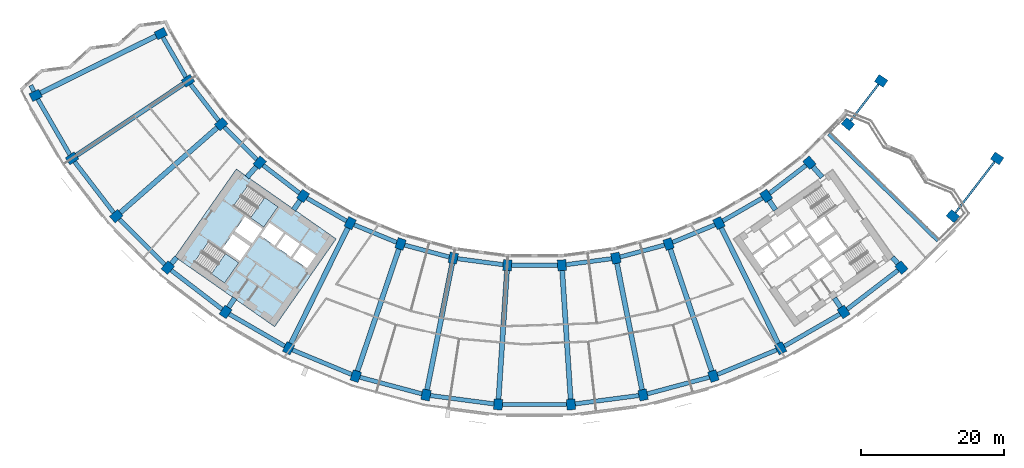
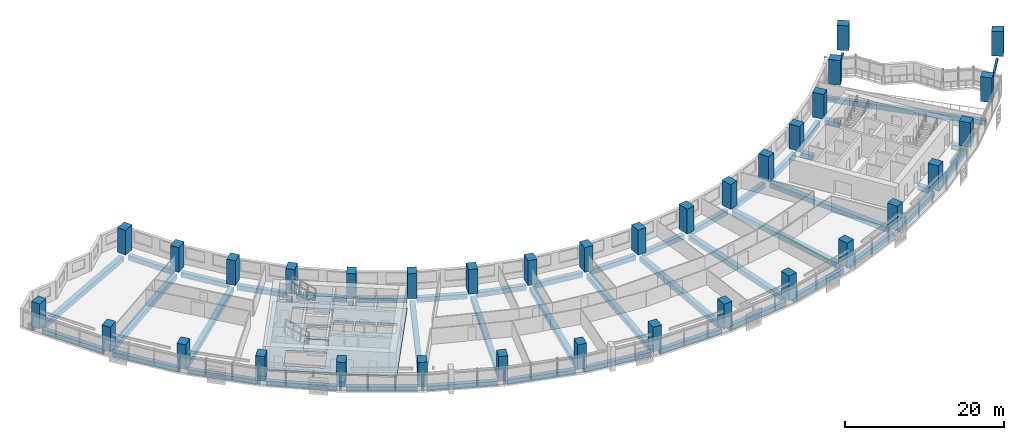
# One storey, part 1 of 30: 49 beams, 34 columns, 3 slabs, 2 members, 2 elements without a shape of their own.
"""IFC4 building model written with IfcOpenShell, lengths in metres."""

from ifc_helpers import new_model, si_unit, direction, frame, origin, origin_2d, place, context, subcontext, project, spatial, polyline, rectangle, hollow_rectangle, outline, extrude, material, layer, layer_set, material_profile, profile_set, type_object, element, aggregate, save


model = new_model("IFC4")

# Units and contexts
model_context = context("Model", 3, precision=1e-05, world=origin(), true_north=direction((0.0, 1.0)))
body_context = subcontext(model_context, "Body", "Model", "MODEL_VIEW")
ifc_project = project(units=[si_unit("LENGTHUNIT", "METRE"), si_unit("AREAUNIT", "SQUARE_METRE"), si_unit("VOLUMEUNIT", "CUBIC_METRE"), si_unit("PLANEANGLEUNIT", "RADIAN"), si_unit("MASSUNIT", "GRAM", prefix="KILO")], contexts=[model_context])

# Site, building, storey
site_placement = place(None, origin())
site = spatial("IfcSite", under=ifc_project, at=site_placement, CompositionType="ELEMENT")
building_placement = place(site_placement, origin())
building = spatial("IfcBuilding", under=site, at=building_placement, Name="Qamariyya Broadcast Tower", CompositionType="ELEMENT")
storey_placement = place(building_placement, frame((0.0, 0.0, 98.699951171875)))
storey = spatial("IfcBuildingStorey", under=building, at=storey_placement, Name="L21", CompositionType="ELEMENT", Elevation=98.699951171875)

# Columns
ifc_material_1 = material(Name="Concrete C70/85", Category="concrete")
ifc_material_profile_1 = material_profile(ifc_material_1, rectangle(XDim=1.199951171875, YDim=1.5, at=origin_2d()))
ifc_profile_set_1 = profile_set([ifc_material_profile_1], Name="Concrete C70/85")
column_type = type_object("IfcColumnType", Name="RC column 1200 x 1500 C70/85", PredefinedType="COLUMN", material=ifc_profile_set_1)
for number, where, z_axis, x_axis, name in (
    (1, (-52.242919921875, -25.763427734375, 0.0), (0.0, 0.0, 1.0), (0.442288690219, -0.896872741533, 0.0), "Column C7 L21 B-R02"),
    (2, (-69.73193359375, -34.387939453125, 0.0), (0.0, 0.0, 1.0), (0.442288690219, -0.896872741533, 0.0), "Column C7 L21 C-R02"),
    (3, (-48.43310546875, -32.362060546875, 0.0), (0.0, 0.0, 1.0), (0.55557023302, -0.831469612303, 0.0), "Column C7 L21 B-R03"),
    (4, (-64.646728515625, -43.195556640625, 0.0), (0.0, 0.0, 1.0), (0.55557023302, -0.831469612303, 0.0), "Column C7 L21 C-R03"),
    (5, (-43.794677734375, -38.406982421875, 0.0), (0.0, 0.0, 1.0), (0.6593458151, -0.751839807479, 0.0), "Column C7 L21 B-R04"),
    (6, (-58.45556640625, -51.26416015625, 0.0), (0.0, 0.0, 1.0), (0.6593458151, -0.751839807479, 0.0), "Column C7 L21 C-R04"),
    (7, (-38.406982421875, -43.794677734375, 0.0), (0.0, 0.0, 1.0), (0.751839807479, -0.6593458151, 0.0), "Column C7 L21 B-R05"),
    (8, (-51.26416015625, -58.45556640625, 0.0), (0.0, 0.0, 1.0), (0.751839807479, -0.6593458151, 0.0), "Column C7 L21 C-R05"),
    (9, (-32.362060546875, -48.43310546875, 0.0), (0.0, 0.0, 1.0), (0.831469612303, -0.55557023302, 0.0), "Column C7 L21 B-R06"),
    (10, (-43.195556640625, -64.646728515625, 0.0), (0.0, 0.0, 1.0), (0.831469612303, -0.55557023302, 0.0), "Column C7 L21 C-R06"),
    (11, (-25.763427734375, -52.242919921875, 0.0), (0.0, 0.0, 1.0), (0.896872741533, -0.442288690219, 0.0), "Column C7 L21 B-R07"),
    (12, (-34.387939453125, -69.73193359375, 0.0), (0.0, 0.0, 1.0), (0.896872741533, -0.442288690219, 0.0), "Column C7 L21 C-R07"),
    (13, (-18.723876953125, -55.15869140625, 0.0), (0.0, 0.0, 1.0), (0.946930129495, -0.321439465303, 0.0), "Column C7 L21 B-R08"),
    (14, (-24.991943359375, -73.623779296875, 0.0), (0.0, 0.0, 1.0), (0.946930129495, -0.321439465303, 0.0), "Column C7 L21 C-R08"),
    (15, (-11.364013671875, -57.130859375, 0.0), (0.0, 0.0, 1.0), (0.980785280403, -0.195090322016, 0.0), "Column C7 L21 B-R09"),
    (16, (-15.168212890625, -76.256103515625, 0.0), (0.0, 0.0, 1.0), (0.980785280403, -0.195090322016, 0.0), "Column C7 L21 C-R09"),
    (17, (-3.809814453125, -58.125244140625, 0.0), (0.0, 0.0, 1.0), (0.997858923239, -0.06540312923, 0.0), "Column C7 L21 B-R10"),
    (18, (-5.085205078125, -77.58349609375, 0.0), (0.0, 0.0, 1.0), (0.997858923239, -0.06540312923, 0.0), "Column C7 L21 C-R10"),
    (19, (3.809814453125, -58.125244140625, 0.0), (0.0, 0.0, 1.0), (0.997858923239, 0.06540312923, 0.0), "Column C7 L21 B-R11"),
    (20, (5.085205078125, -77.58349609375, 0.0), (0.0, 0.0, 1.0), (0.997858923239, 0.06540312923, 0.0), "Column C7 L21 C-R11"),
    (21, (11.364013671875, -57.130859375, 0.0), (0.0, 0.0, 1.0), (0.980785280403, 0.195090322016, 0.0), "Column C7 L21 B-R12"),
    (22, (15.168212890625, -76.256103515625, 0.0), (0.0, 0.0, 1.0), (0.980785280403, 0.195090322016, 0.0), "Column C7 L21 C-R12"),
    (23, (18.723876953125, -55.15869140625, 0.0), (0.0, 0.0, 1.0), (0.946930129495, 0.321439465303, 0.0), "Column C7 L21 B-R13"),
    (24, (24.991943359375, -73.623779296875, 0.0), (0.0, 0.0, 1.0), (0.946930129495, 0.321439465303, 0.0), "Column C7 L21 C-R13"),
    (25, (25.763427734375, -52.242919921875, 0.0), (0.0, 0.0, 1.0), (0.896872741533, 0.442288690219, 0.0), "Column C7 L21 B-R14"),
    (26, (34.387939453125, -69.73193359375, 0.0), (0.0, 0.0, 1.0), (0.896872741533, 0.442288690219, 0.0), "Column C7 L21 C-R14"),
    (27, (32.362060546875, -48.43310546875, 0.0), (0.0, 0.0, 1.0), (0.831469612303, 0.55557023302, 0.0), "Column C7 L21 B-R15"),
    (28, (43.195556640625, -64.646728515625, 0.0), (0.0, 0.0, 1.0), (0.831469612303, 0.55557023302, 0.0), "Column C7 L21 C-R15"),
    (29, (38.406982421875, -43.794677734375, 0.0), (0.0, 0.0, 1.0), (0.751839807479, 0.6593458151, 0.0), "Column C7 L21 B-R16"),
    (30, (51.26416015625, -58.45556640625, 0.0), (0.0, 0.0, 1.0), (0.751839807479, 0.6593458151, 0.0), "Column C7 L21 C-R16"),
    (31, (43.794677734375, -38.406982421875, 0.0), (0.0, 0.0, 1.0), (0.6593458151, 0.751839807479, 0.0), "Column C7 L21 B-R17"),
    (32, (58.45556640625, -51.26416015625, 0.0), (0.0, 0.0, 1.0), (0.6593458151, 0.751839807479, 0.0), "Column C7 L21 C-R17"),
    (33, (48.43310546875, -32.362060546875, 0.0), (0.0, 0.0, 1.0), (0.55557023302, 0.831469612303, 0.0), "Column C7 L21 B-R18"),
    (34, (64.646728515625, -43.195556640625, 0.0), (0.0, 0.0, 1.0), (0.55557023302, 0.831469612303, 0.0), "Column C7 L21 C-R18"),
):
    element("IfcColumn", number, at=place(storey_placement, frame(where, z_axis=z_axis, x_axis=x_axis)), inside=storey, type_object=column_type, Name=name, PredefinedType="COLUMN", context=body_context, shape_type="SweptSolid", body=[
        extrude(rectangle(XDim=1.199951171875, YDim=1.5, at=origin_2d()), origin(), (0.0, 0.0, 1.0), 3.800048828125),
    ])

# Members
ifc_material_2 = material(Name="Steel S355", Category="steel")
ifc_material_profile_2 = material_profile(ifc_material_2, hollow_rectangle(XDim=0.300048828125, YDim=0.300048828125, WallThickness=0.012451171875, InnerFilletRadius=0.012451171875, OuterFilletRadius=0.02490234375, at=origin_2d()))
ifc_profile_set_2 = profile_set([ifc_material_profile_2], Name="Steel S355")
member_type = type_object("IfcMemberType", Name="Pylon tie RHS 300x300x12.5", PredefinedType="STRUT", material=ifc_profile_set_2)
member_1_placement = place(storey_placement, frame((44.16064453125, -37.929931640625, -0.449951171875), z_axis=(0.608778135192, 0.793340520906, 0.0), x_axis=(-0.793340520906, 0.608778135192, 0.0)))
element("IfcMember", 35, at=member_1_placement, inside=storey, type_object=member_type, Name="Pylon tie T1 L21 B-R18", PredefinedType="STRUT", context=body_context, shape_type="SweptSolid", body=[
    extrude(hollow_rectangle(XDim=0.300048828125, YDim=0.300048828125, WallThickness=0.012451171875, InnerFilletRadius=0.012451171875, OuterFilletRadius=0.02490234375, at=origin_2d()), origin(), (0.0, 0.0, 1.0), 6.4169921875),
])
member_2_placement = place(storey_placement, frame((58.821533203125, -50.787109375, -0.449951171875), z_axis=(0.608766985019, 0.793349076984, 0.0), x_axis=(-0.793349076984, 0.608766985019, 0.0)))
element("IfcMember", 36, at=member_2_placement, inside=storey, type_object=member_type, Name="Pylon tie T1 L21 C-R18", PredefinedType="STRUT", context=body_context, shape_type="SweptSolid", body=[
    extrude(hollow_rectangle(XDim=0.300048828125, YDim=0.300048828125, WallThickness=0.012451171875, InnerFilletRadius=0.012451171875, OuterFilletRadius=0.02490234375, at=origin_2d()), origin(), (0.0, 0.0, 1.0), 8.9677734375),
])

# Beams
ifc_material_3 = material(Name="Concrete C50/60", Category="concrete")
ifc_material_profile_3 = material_profile(ifc_material_3, rectangle(XDim=0.60009765625, YDim=0.75, at=origin_2d()))
ifc_profile_set_3 = profile_set([ifc_material_profile_3], Name="Concrete C50/60")
beam_type_1 = type_object("IfcBeamType", Name="RC edge beam 600 x 750 C50/60", PredefinedType="SPANDREL", material=ifc_profile_set_3)
for number, where, z_axis, x_axis, name in (
    (37, (-51.942138671875, -26.283935546875, -0.675048828125), (0.49999360328, -0.866029096901, 0.0), (0.866029096901, 0.49999360328, 0.0), "Edge beam B15 L21 B R02-R03"),
    (38, (-48.067138671875, -32.839111328125, -0.675048828125), (0.608778135192, -0.793340520906, 0.0), (0.793340520906, 0.608778135192, 0.0), "Edge beam B15 L21 B R03-R04"),
):
    element("IfcBeam", number, at=place(storey_placement, frame(where, z_axis=z_axis, x_axis=x_axis)), inside=storey, type_object=beam_type_1, Name=name, PredefinedType="SPANDREL", context=body_context, shape_type="SweptSolid", body=[
        extrude(rectangle(XDim=0.60009765625, YDim=0.75, at=origin_2d()), origin(), (0.0, 0.0, 1.0), 6.4169921875),
    ])
beam_1_placement = place(storey_placement, frame((-43.369384765625, -38.83203125, -0.675048828125), z_axis=(0.707106781187, -0.707106781187, 0.0), x_axis=(0.707106781187, 0.707106781187, 0.0)))
element("IfcBeam", 39, at=beam_1_placement, inside=storey, type_object=beam_type_1, Name="Edge beam B15 L21 B R04-R05", PredefinedType="SPANDREL", context=body_context, shape_type="SweptSolid", body=[
    extrude(rectangle(XDim=0.60009765625, YDim=0.75, at=origin_2d()), origin(), (0.0, 0.0, 1.0), 6.416748046875),
])
for number, where, z_axis, x_axis, name in (
    (40, (-37.929931640625, -44.16064453125, -0.675048828125), (0.793340520906, -0.608778135192, 0.0), (0.608778135192, 0.793340520906, 0.0), "Edge beam B15 L21 B R05-R06"),
    (41, (-31.84130859375, -48.733642578125, -0.675048828125), (0.866029096901, -0.49999360328, 0.0), (0.49999360328, 0.866029096901, 0.0), "Edge beam B15 L21 B R06-R07"),
    (42, (-25.207763671875, -52.472900390625, -0.675048828125), (0.923884212686, -0.382672133229, 0.0), (0.382672133229, 0.923884212686, 0.0), "Edge beam B15 L21 B R07-R08"),
    (43, (-18.14306640625, -55.314208984375, -0.675048828125), (0.965922916603, -0.258829903956, 0.0), (0.258829903956, 0.965922916603, 0.0), "Edge beam B15 L21 B R08-R09"),
    (44, (-10.767822265625, -57.209228515625, -0.675048828125), (0.991443543958, -0.1305361986, 0.0), (0.1305361986, 0.991443543958, 0.0), "Edge beam B15 L21 B R09-R10"),
    (45, (-3.20849609375, -58.125244140625, -0.675048828125), (1.0, 0.0, 0.0), (0.0, 1.0, 0.0), "Edge beam B15 L21 B R10-R11"),
    (46, (4.40576171875, -58.046875, -0.675048828125), (0.991443543958, 0.1305361986, 0.0), (-0.1305361986, 0.991443543958, 0.0), "Edge beam B15 L21 B R11-R12"),
    (47, (11.94482421875, -56.97509765625, -0.675048828125), (0.965922916603, 0.258829903956, 0.0), (-0.258829903956, 0.965922916603, 0.0), "Edge beam B15 L21 B R12-R13"),
    (48, (19.279296875, -54.928466796875, -0.675048828125), (0.923884212686, 0.382672133229, 0.0), (-0.382672133229, 0.923884212686, 0.0), "Edge beam B15 L21 B R13-R14"),
    (49, (26.283935546875, -51.942138671875, -0.675048828125), (0.866029096901, 0.49999360328, 0.0), (-0.49999360328, 0.866029096901, 0.0), "Edge beam B15 L21 B R14-R15"),
    (50, (32.839111328125, -48.067138671875, -0.675048828125), (0.793340520906, 0.608778135192, 0.0), (-0.608778135192, 0.793340520906, 0.0), "Edge beam B15 L21 B R15-R16"),
):
    element("IfcBeam", number, at=place(storey_placement, frame(where, z_axis=z_axis, x_axis=x_axis)), inside=storey, type_object=beam_type_1, Name=name, PredefinedType="SPANDREL", context=body_context, shape_type="SweptSolid", body=[
        extrude(rectangle(XDim=0.60009765625, YDim=0.75, at=origin_2d()), origin(), (0.0, 0.0, 1.0), 6.4169921875),
    ])
beam_2_placement = place(storey_placement, frame((-69.43115234375, -34.90869140625, -0.675048828125), z_axis=(0.499989544228, -0.866031440343, 0.0), x_axis=(0.866031440343, 0.499989544228, 0.0)))
element("IfcBeam", 51, at=beam_2_placement, inside=storey, type_object=beam_type_1, Name="Edge beam B15 L21 C R02-R03", PredefinedType="SPANDREL", context=body_context, shape_type="SweptSolid", body=[
    extrude(rectangle(XDim=0.60009765625, YDim=0.75, at=origin_2d()), origin(), (0.0, 0.0, 1.0), 8.967529296875),
])
beam_3_placement = place(storey_placement, frame((-64.28076171875, -43.672607421875, -0.675048828125), z_axis=(0.608766985019, -0.793349076984, 0.0), x_axis=(0.793349076984, 0.608766985019, 0.0)))
element("IfcBeam", 52, at=beam_3_placement, inside=storey, type_object=beam_type_1, Name="Edge beam B15 L21 C R03-R04", PredefinedType="SPANDREL", context=body_context, shape_type="SweptSolid", body=[
    extrude(rectangle(XDim=0.60009765625, YDim=0.75, at=origin_2d()), origin(), (0.0, 0.0, 1.0), 8.9677734375),
])
beam_4_placement = place(storey_placement, frame((-58.0302734375, -51.689208984375, -0.675048828125), z_axis=(0.707106781187, -0.707106781187, 0.0), x_axis=(0.707106781187, 0.707106781187, 0.0)))
element("IfcBeam", 53, at=beam_4_placement, inside=storey, type_object=beam_type_1, Name="Edge beam B15 L21 C R04-R05", PredefinedType="SPANDREL", context=body_context, shape_type="SweptSolid", body=[
    extrude(rectangle(XDim=0.60009765625, YDim=0.75, at=origin_2d()), origin(), (0.0, 0.0, 1.0), 8.967529296875),
])
beam_5_placement = place(storey_placement, frame((-50.787109375, -58.821533203125, -0.675048828125), z_axis=(0.793349076984, -0.608766985019, 0.0), x_axis=(0.608766985019, 0.793349076984, 0.0)))
element("IfcBeam", 54, at=beam_5_placement, inside=storey, type_object=beam_type_1, Name="Edge beam B15 L21 C R05-R06", PredefinedType="SPANDREL", context=body_context, shape_type="SweptSolid", body=[
    extrude(rectangle(XDim=0.60009765625, YDim=0.75, at=origin_2d()), origin(), (0.0, 0.0, 1.0), 8.9677734375),
])
beam_6_placement = place(storey_placement, frame((-42.6748046875, -64.947509765625, -0.675048828125), z_axis=(0.866031440343, -0.499989544228, 0.0), x_axis=(0.499989544228, 0.866031440343, 0.0)))
element("IfcBeam", 55, at=beam_6_placement, inside=storey, type_object=beam_type_1, Name="Edge beam B15 L21 C R06-R07", PredefinedType="SPANDREL", context=body_context, shape_type="SweptSolid", body=[
    extrude(rectangle(XDim=0.60009765625, YDim=0.75, at=origin_2d()), origin(), (0.0, 0.0, 1.0), 8.967529296875),
])
beam_7_placement = place(storey_placement, frame((-33.83251953125, -69.9619140625, -0.675048828125), z_axis=(0.923877140182, -0.382689207907, 0.0), x_axis=(0.382689207907, 0.923877140182, 0.0)))
element("IfcBeam", 56, at=beam_7_placement, inside=storey, type_object=beam_type_1, Name="Edge beam B15 L21 C R07-R08", PredefinedType="SPANDREL", context=body_context, shape_type="SweptSolid", body=[
    extrude(rectangle(XDim=0.60009765625, YDim=0.75, at=origin_2d()), origin(), (0.0, 0.0, 1.0), 8.9677734375),
])
for number, where, z_axis, x_axis, name in (
    (57, (-24.4111328125, -73.779541015625, -0.675048828125), (0.965931525183, -0.258797775603, 0.0), (0.258797775603, 0.965931525183, 0.0), "Edge beam B15 L21 C R08-R09"),
    (58, (-14.572021484375, -76.33447265625, -0.675048828125), (0.991442708618, -0.130542542983, 0.0), (0.130542542983, 0.991442708618, 0.0), "Edge beam B15 L21 C R09-R10"),
):
    element("IfcBeam", number, at=place(storey_placement, frame(where, z_axis=z_axis, x_axis=x_axis)), inside=storey, type_object=beam_type_1, Name=name, PredefinedType="SPANDREL", context=body_context, shape_type="SweptSolid", body=[
        extrude(rectangle(XDim=0.60009765625, YDim=0.75, at=origin_2d()), origin(), (0.0, 0.0, 1.0), 8.967529296875),
    ])
beam_8_placement = place(storey_placement, frame((-4.48388671875, -77.58349609375, -0.675048828125), z_axis=(1.0, 0.0, 0.0), x_axis=(0.0, 1.0, 0.0)))
element("IfcBeam", 59, at=beam_8_placement, inside=storey, type_object=beam_type_1, Name="Edge beam B15 L21 C R10-R11", PredefinedType="SPANDREL", context=body_context, shape_type="SweptSolid", body=[
    extrude(rectangle(XDim=0.60009765625, YDim=0.75, at=origin_2d()), origin(), (0.0, 0.0, 1.0), 8.9677734375),
])
for number, where, z_axis, x_axis, name in (
    (60, (5.68115234375, -77.505126953125, -0.675048828125), (0.991442708618, 0.130542542983, 0.0), (-0.130542542983, 0.991442708618, 0.0), "Edge beam B15 L21 C R11-R12"),
    (61, (15.7490234375, -76.100341796875, -0.675048828125), (0.965931525183, 0.258797775603, 0.0), (-0.258797775603, 0.965931525183, 0.0), "Edge beam B15 L21 C R12-R13"),
):
    element("IfcBeam", number, at=place(storey_placement, frame(where, z_axis=z_axis, x_axis=x_axis)), inside=storey, type_object=beam_type_1, Name=name, PredefinedType="SPANDREL", context=body_context, shape_type="SweptSolid", body=[
        extrude(rectangle(XDim=0.60009765625, YDim=0.75, at=origin_2d()), origin(), (0.0, 0.0, 1.0), 8.967529296875),
    ])
beam_9_placement = place(storey_placement, frame((25.54736328125, -73.393798828125, -0.675048828125), z_axis=(0.923877140182, 0.382689207907, 0.0), x_axis=(-0.382689207907, 0.923877140182, 0.0)))
element("IfcBeam", 62, at=beam_9_placement, inside=storey, type_object=beam_type_1, Name="Edge beam B15 L21 C R13-R14", PredefinedType="SPANDREL", context=body_context, shape_type="SweptSolid", body=[
    extrude(rectangle(XDim=0.60009765625, YDim=0.75, at=origin_2d()), origin(), (0.0, 0.0, 1.0), 8.9677734375),
])
beam_10_placement = place(storey_placement, frame((34.90869140625, -69.43115234375, -0.675048828125), z_axis=(0.866031440343, 0.499989544228, 0.0), x_axis=(-0.499989544228, 0.866031440343, 0.0)))
element("IfcBeam", 63, at=beam_10_placement, inside=storey, type_object=beam_type_1, Name="Edge beam B15 L21 C R14-R15", PredefinedType="SPANDREL", context=body_context, shape_type="SweptSolid", body=[
    extrude(rectangle(XDim=0.60009765625, YDim=0.75, at=origin_2d()), origin(), (0.0, 0.0, 1.0), 8.967529296875),
])
beam_11_placement = place(storey_placement, frame((43.672607421875, -64.28076171875, -0.675048828125), z_axis=(0.793349076984, 0.608766985019, 0.0), x_axis=(-0.608766985019, 0.793349076984, 0.0)))
element("IfcBeam", 64, at=beam_11_placement, inside=storey, type_object=beam_type_1, Name="Edge beam B15 L21 C R15-R16", PredefinedType="SPANDREL", context=body_context, shape_type="SweptSolid", body=[
    extrude(rectangle(XDim=0.60009765625, YDim=0.75, at=origin_2d()), origin(), (0.0, 0.0, 1.0), 8.9677734375),
])
ifc_material_profile_4 = material_profile(ifc_material_3, rectangle(XDim=0.60009765625, YDim=0.75, at=origin_2d()))
ifc_profile_set_4 = profile_set([ifc_material_profile_4], Name="Concrete C50/60")
beam_type_2 = type_object("IfcBeamType", Name="RC horn beam 600 x 750 C50/60", PredefinedType="BEAM", material=ifc_profile_set_4)
beam_12_placement = place(storey_placement, frame((-69.990966796875, -33.8466796875, -0.675048828125), z_axis=(-0.431828367174, 0.901955797866, 0.0), x_axis=(-0.901955797866, -0.431828367174, 0.0)))
element("IfcBeam", 65, at=beam_12_placement, inside=storey, type_object=beam_type_2, Name="Horn beam B14 L21 W C-R02", PredefinedType="BEAM", context=body_context, shape_type="SweptSolid", body=[
    extrude(rectangle(XDim=0.60009765625, YDim=0.75, at=origin_2d()), origin(), (0.0, 0.0, 1.0), 0.94970703125),
])
ifc_material_profile_5 = material_profile(ifc_material_3, rectangle(XDim=0.699951171875, YDim=0.75, at=origin_2d()))
ifc_profile_set_5 = profile_set([ifc_material_profile_5], Name="Concrete C50/60")
beam_type_3 = type_object("IfcBeamType", Name="RC radial beam 700 x 750 C50/60", PredefinedType="BEAM", material=ifc_profile_set_5)
beam_13_placement = place(storey_placement, frame((-52.91552734375, -26.094970703125, -0.675048828125), z_axis=(-0.896871386501, -0.442291437941, 0.0), x_axis=(0.442291437941, -0.896871386501, 0.0)))
element("IfcBeam", 66, at=beam_13_placement, inside=storey, type_object=beam_type_3, Name="Radial beam B13 L21 R02 B-C", PredefinedType="BEAM", context=body_context, shape_type="SweptSolid", body=[
    extrude(rectangle(XDim=0.699951171875, YDim=0.75, at=origin_2d()), origin(), (0.0, 0.0, 1.0), 17.999755859375),
])
beam_14_placement = place(storey_placement, frame((-49.056640625, -32.778564453125, -0.675048828125), z_axis=(-0.831471836778, -0.555566903843, 0.0), x_axis=(0.555566903843, -0.831471836778, 0.0)))
element("IfcBeam", 67, at=beam_14_placement, inside=storey, type_object=beam_type_3, Name="Radial beam B13 L21 R03 B-C", PredefinedType="BEAM", context=body_context, shape_type="SweptSolid", body=[
    extrude(rectangle(XDim=0.699951171875, YDim=0.75, at=origin_2d()), origin(), (0.0, 0.0, 1.0), 18.0),
])
beam_15_placement = place(storey_placement, frame((-44.358642578125, -38.9013671875, -0.675048828125), z_axis=(-0.751837671483, -0.659348250729, 0.0), x_axis=(0.659348250729, -0.751837671483, 0.0)))
element("IfcBeam", 68, at=beam_15_placement, inside=storey, type_object=beam_type_3, Name="Radial beam B13 L21 R04 B-C", PredefinedType="BEAM", context=body_context, shape_type="SweptSolid", body=[
    extrude(rectangle(XDim=0.699951171875, YDim=0.75, at=origin_2d()), origin(), (0.0, 0.0, 1.0), 17.999755859375),
])
beam_16_placement = place(storey_placement, frame((-38.9013671875, -44.358642578125, -0.675048828125), z_axis=(-0.659376140982, -0.751813211312, 0.0), x_axis=(0.751813211312, -0.659376140982, 0.0)))
element("IfcBeam", 69, at=beam_16_placement, inside=storey, type_object=beam_type_3, Name="Radial beam B13 L21 R05 B-C", PredefinedType="BEAM", context=body_context, shape_type="SweptSolid", body=[
    extrude(rectangle(XDim=0.699951171875, YDim=0.75, at=origin_2d()), origin(), (0.0, 0.0, 1.0), 1.96240234375),
])
beam_17_placement = place(storey_placement, frame((-50.011962890625, -57.027587890625, -0.675048828125), z_axis=(-0.659271387296, -0.751905072395, 0.0), x_axis=(0.751905072395, -0.659271387296, 0.0)))
element("IfcBeam", 70, at=beam_17_placement, inside=storey, type_object=beam_type_3, Name="Radial beam B13 L21 R05 B-C", PredefinedType="BEAM", context=body_context, shape_type="SweptSolid", body=[
    extrude(rectangle(XDim=0.699951171875, YDim=0.75, at=origin_2d()), origin(), (0.0, 0.0, 1.0), 1.149169921875),
])
beam_18_placement = place(storey_placement, frame((-32.778564453125, -49.056640625, -0.675048828125), z_axis=(-0.555537373717, -0.831491567248, 0.0), x_axis=(0.831491567248, -0.555537373717, 0.0)))
element("IfcBeam", 71, at=beam_18_placement, inside=storey, type_object=beam_type_3, Name="Radial beam B13 L21 R06 B-C", PredefinedType="BEAM", context=body_context, shape_type="SweptSolid", body=[
    extrude(rectangle(XDim=0.699951171875, YDim=0.75, at=origin_2d()), origin(), (0.0, 0.0, 1.0), 1.614501953125),
])
beam_19_placement = place(storey_placement, frame((-41.89990234375, -62.707763671875, -0.675048828125), z_axis=(-0.555554602959, -0.831480055762, 0.0), x_axis=(0.831480055762, -0.555554602959, 0.0)))
element("IfcBeam", 72, at=beam_19_placement, inside=storey, type_object=beam_type_3, Name="Radial beam B13 L21 R06 B-C", PredefinedType="BEAM", context=body_context, shape_type="SweptSolid", body=[
    extrude(rectangle(XDim=0.699951171875, YDim=0.75, at=origin_2d()), origin(), (0.0, 0.0, 1.0), 1.58203125),
])
beam_20_placement = place(storey_placement, frame((-26.094970703125, -52.91552734375, -0.675048828125), z_axis=(-0.442291437941, -0.896871386501, 0.0), x_axis=(0.896871386501, -0.442291437941, 0.0)))
element("IfcBeam", 73, at=beam_20_placement, inside=storey, type_object=beam_type_3, Name="Radial beam B13 L21 R07 B-C", PredefinedType="BEAM", context=body_context, shape_type="SweptSolid", body=[
    extrude(rectangle(XDim=0.699951171875, YDim=0.75, at=origin_2d()), origin(), (0.0, 0.0, 1.0), 17.999755859375),
])
beam_21_placement = place(storey_placement, frame((-18.96484375, -55.868896484375, -0.675048828125), z_axis=(-0.321439476461, -0.946930125707, 0.0), x_axis=(0.946930125707, -0.321439476461, 0.0)))
element("IfcBeam", 74, at=beam_21_placement, inside=storey, type_object=beam_type_3, Name="Radial beam B13 L21 R08 B-C", PredefinedType="BEAM", context=body_context, shape_type="SweptSolid", body=[
    extrude(rectangle(XDim=0.699951171875, YDim=0.75, at=origin_2d()), origin(), (0.0, 0.0, 1.0), 18.0),
])
beam_22_placement = place(storey_placement, frame((-11.51025390625, -57.8662109375, -0.675048828125), z_axis=(-0.195093569287, -0.980784634475, 0.0), x_axis=(0.980784634475, -0.195093569287, 0.0)))
element("IfcBeam", 75, at=beam_22_placement, inside=storey, type_object=beam_type_3, Name="Radial beam B13 L21 R09 B-C", PredefinedType="BEAM", context=body_context, shape_type="SweptSolid", body=[
    extrude(rectangle(XDim=0.699951171875, YDim=0.75, at=origin_2d()), origin(), (0.0, 0.0, 1.0), 18.000244140625),
])
for number, where, z_axis, x_axis, name in (
    (76, (-3.85888671875, -58.873779296875, -0.675048828125), (-0.065402689504, -0.99785895206, 0.0), (0.99785895206, -0.065402689504, 0.0), "Radial beam B13 L21 R10 B-C"),
    (77, (3.85888671875, -58.873779296875, -0.675048828125), (0.065402689504, -0.99785895206, 0.0), (0.99785895206, 0.065402689504, 0.0), "Radial beam B13 L21 R11 B-C"),
):
    element("IfcBeam", number, at=place(storey_placement, frame(where, z_axis=z_axis, x_axis=x_axis)), inside=storey, type_object=beam_type_3, Name=name, PredefinedType="BEAM", context=body_context, shape_type="SweptSolid", body=[
        extrude(rectangle(XDim=0.699951171875, YDim=0.75, at=origin_2d()), origin(), (0.0, 0.0, 1.0), 18.0),
    ])
beam_23_placement = place(storey_placement, frame((11.51025390625, -57.8662109375, -0.675048828125), z_axis=(0.195093569287, -0.980784634475, 0.0), x_axis=(0.980784634475, 0.195093569287, 0.0)))
element("IfcBeam", 78, at=beam_23_placement, inside=storey, type_object=beam_type_3, Name="Radial beam B13 L21 R12 B-C", PredefinedType="BEAM", context=body_context, shape_type="SweptSolid", body=[
    extrude(rectangle(XDim=0.699951171875, YDim=0.75, at=origin_2d()), origin(), (0.0, 0.0, 1.0), 18.000244140625),
])
beam_24_placement = place(storey_placement, frame((18.96484375, -55.868896484375, -0.675048828125), z_axis=(0.321439476461, -0.946930125707, 0.0), x_axis=(0.946930125707, 0.321439476461, 0.0)))
element("IfcBeam", 79, at=beam_24_placement, inside=storey, type_object=beam_type_3, Name="Radial beam B13 L21 R13 B-C", PredefinedType="BEAM", context=body_context, shape_type="SweptSolid", body=[
    extrude(rectangle(XDim=0.699951171875, YDim=0.75, at=origin_2d()), origin(), (0.0, 0.0, 1.0), 18.0),
])
beam_25_placement = place(storey_placement, frame((26.094970703125, -52.91552734375, -0.675048828125), z_axis=(0.442291437941, -0.896871386501, 0.0), x_axis=(0.896871386501, 0.442291437941, 0.0)))
element("IfcBeam", 80, at=beam_25_placement, inside=storey, type_object=beam_type_3, Name="Radial beam B13 L21 R14 B-C", PredefinedType="BEAM", context=body_context, shape_type="SweptSolid", body=[
    extrude(rectangle(XDim=0.699951171875, YDim=0.75, at=origin_2d()), origin(), (0.0, 0.0, 1.0), 17.999755859375),
])
beam_26_placement = place(storey_placement, frame((32.778564453125, -49.056640625, -0.675048828125), z_axis=(0.555537373717, -0.831491567248, 0.0), x_axis=(0.831491567248, 0.555537373717, 0.0)))
element("IfcBeam", 81, at=beam_26_placement, inside=storey, type_object=beam_type_3, Name="Radial beam B13 L21 R15 B-C", PredefinedType="BEAM", context=body_context, shape_type="SweptSolid", body=[
    extrude(rectangle(XDim=0.699951171875, YDim=0.75, at=origin_2d()), origin(), (0.0, 0.0, 1.0), 1.614501953125),
])
beam_27_placement = place(storey_placement, frame((41.89990234375, -62.707763671875, -0.675048828125), z_axis=(0.555554602959, -0.831480055762, 0.0), x_axis=(0.831480055762, 0.555554602959, 0.0)))
element("IfcBeam", 82, at=beam_27_placement, inside=storey, type_object=beam_type_3, Name="Radial beam B13 L21 R15 B-C", PredefinedType="BEAM", context=body_context, shape_type="SweptSolid", body=[
    extrude(rectangle(XDim=0.699951171875, YDim=0.75, at=origin_2d()), origin(), (0.0, 0.0, 1.0), 1.58203125),
])
beam_28_placement = place(storey_placement, frame((38.9013671875, -44.358642578125, -0.675048828125), z_axis=(0.659376140982, -0.751813211312, 0.0), x_axis=(0.751813211312, 0.659376140982, 0.0)))
element("IfcBeam", 83, at=beam_28_placement, inside=storey, type_object=beam_type_3, Name="Radial beam B13 L21 R16 B-C", PredefinedType="BEAM", context=body_context, shape_type="SweptSolid", body=[
    extrude(rectangle(XDim=0.699951171875, YDim=0.75, at=origin_2d()), origin(), (0.0, 0.0, 1.0), 1.96240234375),
])
beam_29_placement = place(storey_placement, frame((50.011962890625, -57.027587890625, -0.675048828125), z_axis=(0.659271387296, -0.751905072395, 0.0), x_axis=(0.751905072395, 0.659271387296, 0.0)))
element("IfcBeam", 84, at=beam_29_placement, inside=storey, type_object=beam_type_3, Name="Radial beam B13 L21 R16 B-C", PredefinedType="BEAM", context=body_context, shape_type="SweptSolid", body=[
    extrude(rectangle(XDim=0.699951171875, YDim=0.75, at=origin_2d()), origin(), (0.0, 0.0, 1.0), 1.149169921875),
])
ifc_material_profile_6 = material_profile(ifc_material_3, rectangle(XDim=0.5, YDim=0.75, at=origin_2d()))
ifc_profile_set_6 = profile_set([ifc_material_profile_6], Name="Concrete C50/60")
beam_type_4 = type_object("IfcBeamType", Name="RC trimmer beam 500 x 750 C50/60", PredefinedType="BEAM", material=ifc_profile_set_6)
beam_30_placement = place(storey_placement, frame((41.104248046875, -39.76220703125, -0.675048828125), z_axis=(0.714465653174, -0.699670515625, 0.0), x_axis=(0.699670515625, 0.714465653174, 0.0)))
element("IfcBeam", 85, at=beam_30_placement, inside=storey, type_object=beam_type_4, Name="Trimmer beam B16 L21 void 1", PredefinedType="BEAM", context=body_context, shape_type="SweptSolid", body=[
    extrude(rectangle(XDim=0.5, YDim=0.75, at=origin_2d()), origin(), (0.0, 0.0, 1.0), 21.352783203125),
])

# Slab
ifc_material_4 = material(Name="Concrete C40/50", Category="concrete")
ifc_layer_1 = layer(ifc_material_4, 0.300048828125)
ifc_layer_set_1 = layer_set([ifc_layer_1], Name="Core floor slab 300 mm Concrete C40/50")
slab_type_1 = type_object("IfcSlabType", Name="Core floor slab 300 mm Concrete C40/50", PredefinedType="FLOOR", material=ifc_layer_set_1)
slab_1_placement = place(storey_placement, frame((0.0, 0.0, -0.300048828125)))
element("IfcSlab", 86, at=slab_1_placement, inside=storey, type_object=slab_type_1, Name="k-W-L21-slab", PredefinedType="FLOOR", context=body_context, shape_type="SweptSolid", body=[
    extrude(outline(polyline([(-50.286376953125, -56.95751953125), (-36.32373046875, -66.734375), (-27.719970703125, -54.447021484375), (-41.6826171875, -44.67041015625), (-50.286376953125, -56.95751953125)]), holes=[polyline([(-31.80859375, -58.542724609375), (-33.8154296875, -57.137451171875), (-32.5537109375, -55.335205078125), (-30.546630859375, -56.740478515625), (-31.80859375, -58.542724609375)]), polyline([(-34.061279296875, -56.96533203125), (-36.068115234375, -55.56005859375), (-34.806396484375, -53.758056640625), (-32.79931640625, -55.163330078125), (-34.061279296875, -56.96533203125)]), polyline([(-36.31396484375, -55.387939453125), (-38.32080078125, -53.982666015625), (-37.058837890625, -52.1806640625), (-35.052001953125, -53.5859375), (-36.31396484375, -55.387939453125)]), polyline([(-39.742431640625, -55.489990234375), (-42.199951171875, -53.769287109375), (-43.6337890625, -55.817138671875), (-41.17626953125, -57.537841796875), (-39.742431640625, -55.489990234375)]), polyline([(-39.45556640625, -55.080322265625), (-41.9130859375, -53.359619140625), (-40.47900390625, -51.311767578125), (-38.021728515625, -53.032470703125), (-39.45556640625, -55.080322265625)]), polyline([(-42.06103515625, -49.837890625), (-37.849609375, -52.78662109375), (-35.870849609375, -49.960693359375), (-40.082275390625, -47.01171875), (-42.06103515625, -49.837890625)]), polyline([(-47.538818359375, -57.66064453125), (-43.3271484375, -60.609619140625), (-41.348388671875, -57.783447265625), (-45.559814453125, -54.834716796875), (-47.538818359375, -57.66064453125)])]), origin(), (0.0, 0.0, 1.0), 0.300048828125),
])

# Stair, slab
stair_type = type_object("IfcStairType", Name="Exit stair 22 risers of 173 mm", PredefinedType="HALF_TURN_STAIR", material=ifc_material_3)
stair_1_placement = place(storey_placement, origin())
stair_1 = element("IfcStair", 87, at=stair_1_placement, inside=storey, type_object=stair_type, Name="L21 Stair W2", PredefinedType="HALF_TURN_STAIR")
ifc_layer_2 = layer(ifc_material_3, 0.199951171875)
ifc_layer_set_2 = layer_set([ifc_layer_2], Name="Stair landing")
slab_type_2 = type_object("IfcSlabType", Name="Stair landing", PredefinedType="LANDING", material=ifc_layer_set_2)
slab_2_placement = place(storey_placement, frame((0.0, 0.0, 1.699951171875)))
slab_2 = element("IfcSlab", 88, at=slab_2_placement, type_object=slab_type_2, Name="ST-W2 landing 1", PredefinedType="LANDING", context=body_context, shape_type="SweptSolid", body=[
    extrude(outline(polyline([(-39.692138671875, -51.49658203125), (-37.849609375, -52.78662109375), (-35.870849609375, -49.960693359375), (-37.71337890625, -48.67041015625), (-39.692138671875, -51.49658203125)])), origin(), (0.0, 0.0, 1.0), 0.2001953125),
])
aggregate(stair_1, [slab_2])

stair_2_placement = place(storey_placement, origin())
stair_2 = element("IfcStair", 89, at=stair_2_placement, inside=storey, type_object=stair_type, Name="L21 Stair W1", PredefinedType="HALF_TURN_STAIR")
slab_3_placement = place(storey_placement, frame((0.0, 0.0, 1.699951171875)))
slab_3 = element("IfcSlab", 90, at=slab_3_placement, type_object=slab_type_2, Name="ST-W1 landing 1", PredefinedType="LANDING", context=body_context, shape_type="SweptSolid", body=[
    extrude(outline(polyline([(-45.169677734375, -59.319580078125), (-43.3271484375, -60.609619140625), (-41.348388671875, -57.783447265625), (-43.19091796875, -56.493408203125), (-45.169677734375, -59.319580078125)])), origin(), (0.0, 0.0, 1.0), 0.2001953125),
])
aggregate(stair_2, [slab_3])

save(model, "model.ifc")
